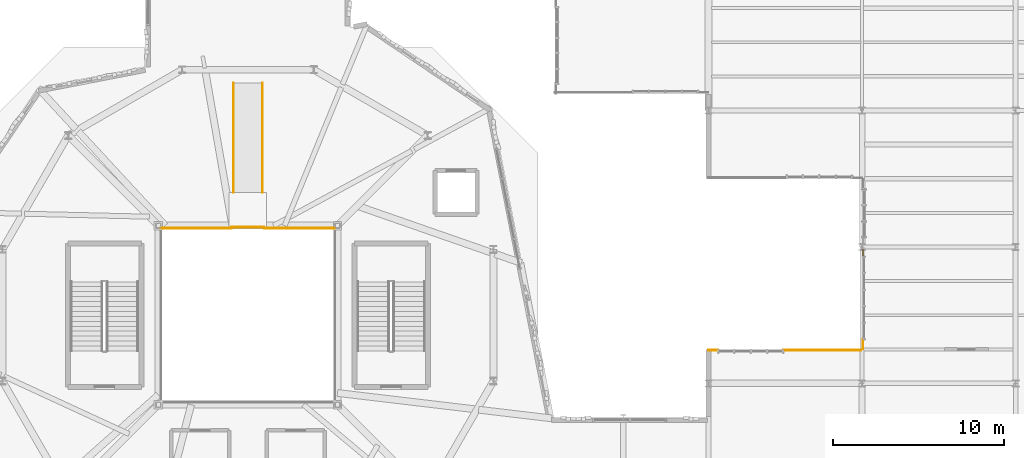
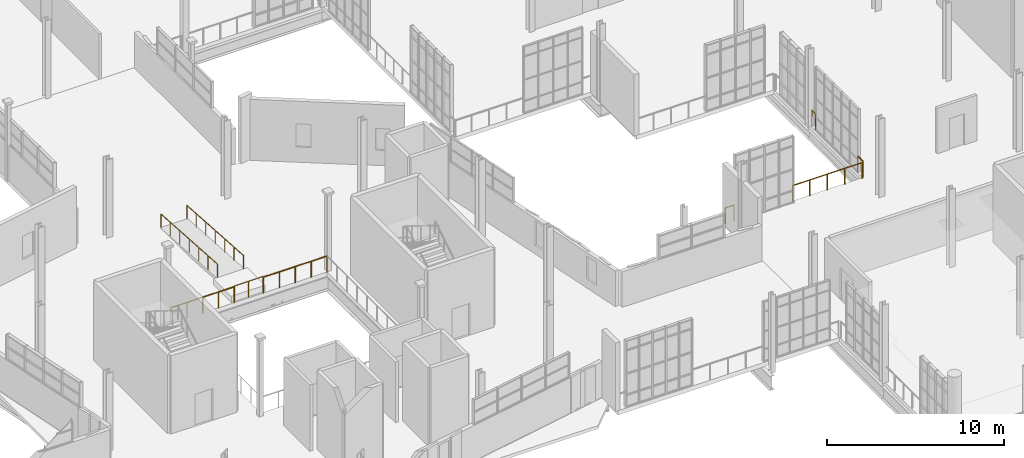
# One storey, part 136 of 142: 9 railings.
"""IFC4 building model written with IfcOpenShell, lengths in metres."""

import ifcopenshell
import ifcopenshell.guid

model = None  # the IFC model being written
_history = None  # IfcOwnerHistory: only IFC2X3 demands one
_inside = {}  # id of a spatial element -> (the spatial element, [elements in it])
_under = {}  # id of a project, library or spatial element -> (it, [spatial elements below it])
_declared = {}  # id of a project -> (the project, [libraries it declares])
_typed = {}  # id of a type object -> (the type object, [elements of that type])
_made_of = {}  # id of a material, layer set ... -> (it, [elements and type objects made of it])


def new_model(schema):
    """Start an empty IFC model of exactly this schema.

    Asked for "IFC4X3", IfcOpenShell would pick the latest addendum, in which some entities
    have other attributes; the version numbers below select the first issue.
    IFC2X3 requires an IfcOwnerHistory on every rooted entity: one is made here for all.
    """
    global model, _history
    if schema == "IFC4X3":
        model = ifcopenshell.file(schema_version=(4, 3, 0, 0))
    else:
        model = ifcopenshell.file(schema=schema)
    _inside.clear()
    _under.clear()
    _declared.clear()
    _typed.clear()
    _made_of.clear()
    _history = None
    if model.schema == "IFC2X3":
        org = make("IfcOrganization", Name="unknown")
        user = make(
            "IfcPersonAndOrganization",
            ThePerson=make("IfcPerson", FamilyName="unknown"),
            TheOrganization=org,
        )
        app = make(
            "IfcApplication",
            ApplicationDeveloper=org,
            Version="unknown",
            ApplicationFullName="unknown",
            ApplicationIdentifier="unknown",
        )
        _history = make(
            "IfcOwnerHistory",
            OwningUser=user,
            OwningApplication=app,
            ChangeAction="ADDED",
            CreationDate=0,
        )
    return model


def make(cls, **values):
    """One entity of the class cls with the attributes given. An attribute that is None is left unset."""
    return model.create_entity(
        cls, **{name: value for name, value in values.items() if value is not None}
    )


def rooted(cls, **values):
    """An entity with a GlobalId (a new one), such as an element, a storey or a relation."""
    return make(cls, GlobalId=ifcopenshell.guid.new(), OwnerHistory=_history, **values)


def si_unit(unit_type, name, prefix=None):
    """IfcSIUnit, for example si_unit("LENGTHUNIT", "METRE", prefix="MILLI")."""
    return make("IfcSIUnit", UnitType=unit_type, Prefix=prefix, Name=name)


def assignment(units):
    """IfcUnitAssignment: the units of a project."""
    return None if units is None else make("IfcUnitAssignment", Units=units)


def point(xyz):
    """IfcCartesianPoint."""
    return None if xyz is None else make("IfcCartesianPoint", Coordinates=xyz)


def direction(xyz):
    """IfcDirection."""
    return None if xyz is None else make("IfcDirection", DirectionRatios=xyz)


def frame(location, z_axis=None, x_axis=None):
    """IfcAxis2Placement3D, a coordinate frame: its origin and axes. An axis left out is left unset."""
    return make(
        "IfcAxis2Placement3D",
        Location=point(location),
        Axis=direction(z_axis),
        RefDirection=direction(x_axis),
    )


def frame_2d(location, x_axis=None):
    """IfcAxis2Placement2D, a coordinate frame in the plane: its origin and x axis."""
    return make(
        "IfcAxis2Placement2D", Location=point(location), RefDirection=direction(x_axis)
    )


def origin():
    """The frame at (0, 0, 0) with its axes left unset."""
    return frame((0.0, 0.0, 0.0))


def origin_2d():
    """The frame at (0, 0) in the plane with its x axis left unset."""
    return frame_2d((0.0, 0.0))


def place(relative_to, where):
    """IfcLocalPlacement: puts the frame where relative to a parent placement (None: the world)."""
    return make(
        "IfcLocalPlacement", PlacementRelTo=relative_to, RelativePlacement=where
    )


def context(
    kind, dimensions, precision=None, world=None, true_north=None, identifier=None
):
    """IfcGeometricRepresentationContext, for example the 3D "Model" context."""
    return make(
        "IfcGeometricRepresentationContext",
        ContextIdentifier=identifier,
        ContextType=kind,
        CoordinateSpaceDimension=dimensions,
        Precision=precision,
        WorldCoordinateSystem=world,
        TrueNorth=true_north,
    )


def subcontext(parent, identifier, kind, view, scale=None):
    """IfcGeometricRepresentationSubContext, for example "Body" below "Model"."""
    return make(
        "IfcGeometricRepresentationSubContext",
        ContextIdentifier=identifier,
        ContextType=kind,
        ParentContext=parent,
        TargetScale=scale,
        TargetView=view,
    )


def project(units=None, contexts=None):
    """IfcProject with its units and contexts."""
    return rooted(
        "IfcProject",
        Name="project",
        RepresentationContexts=contexts,
        UnitsInContext=assignment(units),
    )


def spatial(cls, under=None, at=None, **own):
    """A site, building, storey or space (cls), placed at a placement, below another one or the project."""
    s = rooted(cls, ObjectPlacement=at, **own)
    if under is not None:
        _under.setdefault(under.id(), (under, []))[1].append(s)
    return s


def profile(cls, at=None, kind="AREA", **sizes):
    """A parametric profile (cls). Its sizes go by their IFC names, for example OverallWidth=200.0."""
    return make(cls, ProfileType=kind, Position=at, **sizes)


def circle(**sizes):
    """IfcCircleProfileDef."""
    return profile("IfcCircleProfileDef", **sizes)


def extrude(swept, where, along, depth):
    """IfcExtrudedAreaSolid: the profile swept, set in the frame where, extruded along a direction by depth."""
    return make(
        "IfcExtrudedAreaSolid",
        SweptArea=swept,
        Position=where,
        ExtrudedDirection=direction(along),
        Depth=depth,
    )


def shape(context_of_items, identifier, shape_type, items):
    """IfcShapeRepresentation: the items that make up one representation, for example the "Body"."""
    return make(
        "IfcShapeRepresentation",
        ContextOfItems=context_of_items,
        RepresentationIdentifier=identifier,
        RepresentationType=shape_type,
        Items=items,
    )


def material(Name=None, Category=None):
    """IfcMaterial."""
    return make("IfcMaterial", Name=Name, Category=Category)


def made_of(thing, what):
    """Note that an element or type object is made of a material, layer set ...; save() writes the relation."""
    if what is not None:
        _made_of.setdefault(what.id(), (what, []))[1].append(thing)
    return thing


def type_object(cls, material=None, **own):
    """A type object (cls), such as IfcWallType, which elements share."""
    return made_of(rooted(cls, **own), material)


def element(
    cls,
    number,
    at=None,
    inside=None,
    cuts=None,
    type_object=None,
    material=None,
    context=None,
    identifier="Body",
    shape_type=None,
    held_by="IfcProductDefinitionShape",
    body=None,
    shapes=None,
    **own,
):
    """One element of the class cls, such as IfcWall. Its Tag is "e" and its number.

    at: its placement. inside: the storey or other place that contains it. cuts: it is an
    opening in that element (IfcRelVoidsElement). A single representation is given by context,
    identifier, shape_type and body (its items); several are given by shapes. held_by: the class
    of the entity that holds the representations. save() writes the other relations.
    """
    e = rooted(cls, Tag="e%d" % number, ObjectPlacement=at, **own)
    if body is not None:
        shapes = [shape(context, identifier, shape_type, body)]
    if shapes is not None:
        e.Representation = make(held_by, Representations=shapes)
    if inside is not None:
        _inside.setdefault(inside.id(), (inside, []))[1].append(e)
    if cuts is not None:
        rooted(
            "IfcRelVoidsElement", RelatingBuildingElement=cuts, RelatedOpeningElement=e
        )
    if type_object is not None:
        _typed.setdefault(type_object.id(), (type_object, []))[1].append(e)
    return made_of(e, material)


def aggregate(whole, parts):
    """IfcRelAggregates: a whole, such as a stair, and the parts it consists of."""
    return rooted("IfcRelAggregates", RelatingObject=whole, RelatedObjects=parts)


def save(model, path):
    """Write the relations noted so far, then the file.

    IfcRelAggregates (storeys below a building ...), IfcRelContainedInSpatialStructure (elements
    in a storey), IfcRelDefinesByType, IfcRelAssociatesMaterial and IfcRelDeclares: one each for
    every whole, place, type object, material and project.
    """
    for whole, parts in _under.values():
        aggregate(whole, parts)
    for where, things in _inside.values():
        rooted(
            "IfcRelContainedInSpatialStructure",
            RelatedElements=things,
            RelatingStructure=where,
        )
    for kind, things in _typed.values():
        rooted("IfcRelDefinesByType", RelatedObjects=things, RelatingType=kind)
    for what, things in _made_of.values():
        rooted("IfcRelAssociatesMaterial", RelatedObjects=things, RelatingMaterial=what)
    for by, libraries in _declared.values():
        rooted("IfcRelDeclares", RelatingContext=by, RelatedDefinitions=libraries)
    model.write(path)


model = new_model("IFC4")

# Units and contexts
model_context = context("Model", 3, precision=1e-05, world=origin(), true_north=direction((0.0, 1.0)))
body_context = subcontext(model_context, "Body", "Model", "MODEL_VIEW")
ifc_project = project(units=[si_unit("LENGTHUNIT", "METRE"), si_unit("AREAUNIT", "SQUARE_METRE"), si_unit("VOLUMEUNIT", "CUBIC_METRE"), si_unit("PLANEANGLEUNIT", "RADIAN"), si_unit("MASSUNIT", "GRAM", prefix="KILO"), si_unit("THERMODYNAMICTEMPERATUREUNIT", "KELVIN"), si_unit("POWERUNIT", "WATT")], contexts=[model_context])

# Site, building, storey
site_placement = place(None, origin())
site = spatial("IfcSite", under=ifc_project, at=site_placement, CompositionType="ELEMENT")
building_placement = place(site_placement, origin())
building = spatial("IfcBuilding", under=site, at=building_placement, Name="Zelmaris Science Centre", CompositionType="ELEMENT")
storey_placement = place(building_placement, frame((0.0, 0.0, 5.39990234375)))
storey = spatial("IfcBuildingStorey", under=building, at=storey_placement, Name="L01", CompositionType="ELEMENT", Elevation=5.39990234375)

# Railings
ifc_material = material(Name="Architectural bronze alloy C28000")
railing_type_1 = type_object("IfcRailingType", Name="Balustrade GD-01 H1120", PredefinedType="BALUSTRADE", material=ifc_material)
for number, where, name in (
    (1, (86.10009765625, 41.10009765625, 0.0), "L01 Atrium void balustrade 3"),
    (2, (80.050048828125, 41.10009765625, 0.0), "L01 Atrium void balustrade 4"),
):
    element("IfcRailing", number, at=place(storey_placement, frame(where)), inside=storey, type_object=railing_type_1, Name=name, PredefinedType="BALUSTRADE", context=body_context, shape_type="SweptSolid", body=[
        extrude(circle(Radius=0.02392578125, at=origin_2d()), frame((0.0, 0.0, 1.09619140625), z_axis=(-1.0, 0.0, 0.0), x_axis=(0.0, -1.0, 0.0)), (0.0, 0.0, 1.0), 4.150146484375),
        extrude(circle(Radius=0.02099609375, at=origin_2d()), origin(), (0.0, 0.0, 1.0), 1.072021484375),
        extrude(circle(Radius=0.02099609375, at=origin_2d()), frame((-1.03759765625, 0.0, 0.0)), (0.0, 0.0, 1.0), 1.072021484375),
        extrude(circle(Radius=0.02099609375, at=origin_2d()), frame((-2.0751953125, 0.0, 0.0)), (0.0, 0.0, 1.0), 1.072021484375),
        extrude(circle(Radius=0.02099609375, at=origin_2d()), frame((-3.112548828125, 0.0, 0.0)), (0.0, 0.0, 1.0), 1.072021484375),
        extrude(circle(Radius=0.02099609375, at=origin_2d()), frame((-4.150146484375, 0.0, 0.0)), (0.0, 0.0, 1.0), 1.072021484375),
    ])
railing_1_placement = place(storey_placement, frame((108.0, 33.93994140625, 0.0)))
element("IfcRailing", 3, at=railing_1_placement, inside=storey, type_object=railing_type_1, Name="L01 Perimeter safety balustrade 97", PredefinedType="BALUSTRADE", context=body_context, shape_type="SweptSolid", body=[
    extrude(circle(Radius=0.02392578125, at=origin_2d()), frame((0.0, 0.0, 1.09619140625), z_axis=(1.0, 0.0, 0.0), x_axis=(0.0, 1.0, 0.0)), (0.0, 0.0, 1.0), 0.570068359375),
    extrude(circle(Radius=0.02099609375, at=origin_2d()), origin(), (0.0, 0.0, 1.0), 1.072021484375),
    extrude(circle(Radius=0.02099609375, at=origin_2d()), frame((0.570068359375, 0.0, 0.0)), (0.0, 0.0, 1.0), 1.072021484375),
])
railing_2_placement = place(storey_placement, frame((112.3798828125, 33.93994140625, 0.0)))
element("IfcRailing", 4, at=railing_2_placement, inside=storey, type_object=railing_type_1, Name="L01 Perimeter safety balustrade 98", PredefinedType="BALUSTRADE", context=body_context, shape_type="SweptSolid", body=[
    extrude(circle(Radius=0.02392578125, at=origin_2d()), frame((0.0, 0.0, 1.09619140625), z_axis=(1.0, 0.0, 0.0), x_axis=(0.0, 1.0, 0.0)), (0.0, 0.0, 1.0), 4.56005859375),
    extrude(circle(Radius=0.02099609375, at=origin_2d()), origin(), (0.0, 0.0, 1.0), 1.072021484375),
    extrude(circle(Radius=0.02099609375, at=origin_2d()), frame((1.14013671875, 0.0, 0.0)), (0.0, 0.0, 1.0), 1.072021484375),
    extrude(circle(Radius=0.02099609375, at=origin_2d()), frame((2.280029296875, 0.0, 0.0)), (0.0, 0.0, 1.0), 1.072021484375),
    extrude(circle(Radius=0.02099609375, at=origin_2d()), frame((3.419921875, 0.0, 0.0)), (0.0, 0.0, 1.0), 1.072021484375),
    extrude(circle(Radius=0.02099609375, at=origin_2d()), frame((4.56005859375, 0.0, 0.0)), (0.0, 0.0, 1.0), 1.072021484375),
])
railing_3_placement = place(storey_placement, frame((117.0498046875, 34.026611328125, 0.0)))
element("IfcRailing", 5, at=railing_3_placement, inside=storey, type_object=railing_type_1, Name="L01 Perimeter safety balustrade 99", PredefinedType="BALUSTRADE", context=body_context, shape_type="SweptSolid", body=[
    extrude(circle(Radius=0.02392578125, at=origin_2d()), frame((0.0, 0.0, 1.09619140625), z_axis=(0.001284795513, 0.99999917465, 0.0), x_axis=(-0.99999917465, 0.001284795513, 0.0)), (0.0, 0.0, 1.0), 0.570068359375),
    extrude(circle(Radius=0.02099609375, at=origin_2d()), origin(), (0.0, 0.0, 1.0), 1.072021484375),
    extrude(circle(Radius=0.02099609375, at=origin_2d()), frame((0.000732421875, 0.570068359375, 0.0)), (0.0, 0.0, 1.0), 1.072021484375),
])
railing_4_placement = place(storey_placement, frame((117.055419921875, 39.429931640625, 0.0)))
element("IfcRailing", 6, at=railing_4_placement, inside=storey, type_object=railing_type_1, Name="L01 Perimeter safety balustrade 100", PredefinedType="BALUSTRADE", context=body_context, shape_type="SweptSolid", body=[
    extrude(circle(Radius=0.02392578125, at=origin_2d()), frame((0.0, 0.0, 1.09619140625), z_axis=(0.001173708112, 0.999999311204, 0.0), x_axis=(-0.999999311204, 0.001173708112, 0.0)), (0.0, 0.0, 1.0), 0.416015625),
    extrude(circle(Radius=0.02099609375, at=origin_2d()), origin(), (0.0, 0.0, 1.0), 1.072021484375),
    extrude(circle(Radius=0.02099609375, at=origin_2d()), frame((0.00048828125, 0.416015625, 0.0)), (0.0, 0.0, 1.0), 1.072021484375),
])
railing_5_placement = place(storey_placement, frame((81.949951171875, 41.159912109375, 0.0)))
element("IfcRailing", 7, at=railing_5_placement, inside=storey, type_object=railing_type_1, Name="L01 Perimeter safety balustrade 117", PredefinedType="BALUSTRADE", context=body_context, shape_type="SweptSolid", body=[
    extrude(circle(Radius=0.02392578125, at=origin_2d()), frame((0.0, 0.0, 1.09619140625), z_axis=(-1.0, 0.0, 0.0), x_axis=(0.0, -1.0, 0.0)), (0.0, 0.0, 1.0), 1.89990234375),
    extrude(circle(Radius=0.02099609375, at=origin_2d()), origin(), (0.0, 0.0, 1.0), 1.072021484375),
    extrude(circle(Radius=0.02099609375, at=origin_2d()), frame((-0.949951171875, 0.0, 0.0)), (0.0, 0.0, 1.0), 1.072021484375),
    extrude(circle(Radius=0.02099609375, at=origin_2d()), frame((-1.89990234375, 0.0, 0.0)), (0.0, 0.0, 1.0), 1.072021484375),
])
railing_type_2 = type_object("IfcRailingType", Name="Handrail HR-02 H950", PredefinedType="HANDRAIL", material=ifc_material)
for number, where, name in (
    (8, (80.14990234375, 49.60009765625, 0.0), "L01 Atrium overlook ramp handrail 1"),
    (9, (81.85009765625, 49.60009765625, 0.0), "L01 Atrium overlook ramp handrail 2"),
):
    element("IfcRailing", number, at=place(storey_placement, frame(where)), inside=storey, type_object=railing_type_2, Name=name, PredefinedType="HANDRAIL", context=body_context, shape_type="SweptSolid", body=[
        extrude(circle(Radius=0.02392578125, at=origin_2d()), frame((0.0, 0.0, 0.92578125), z_axis=(0.0, -0.997852016313, 0.065508423425), x_axis=(1.0, 0.0, 0.0)), (0.0, 0.0, 1.0), 6.413818359375),
        extrude(circle(Radius=0.02099609375, at=origin_2d()), origin(), (0.0, 0.0, 1.0), 0.90185546875),
        extrude(circle(Radius=0.02099609375, at=origin_2d()), frame((0.0, -1.066650390625, 0.070068359375)), (0.0, 0.0, 1.0), 0.90185546875),
        extrude(circle(Radius=0.02099609375, at=origin_2d()), frame((0.0, -2.13330078125, 0.14013671875)), (0.0, 0.0, 1.0), 0.90185546875),
        extrude(circle(Radius=0.02099609375, at=origin_2d()), frame((0.0, -3.2001953125, 0.2099609375)), (0.0, 0.0, 1.0), 0.90185546875),
        extrude(circle(Radius=0.02099609375, at=origin_2d()), frame((0.0, -4.266845703125, 0.280029296875)), (0.0, 0.0, 1.0), 0.90185546875),
        extrude(circle(Radius=0.02099609375, at=origin_2d()), frame((0.0, -5.33349609375, 0.35009765625)), (0.0, 0.0, 1.0), 0.90185546875),
        extrude(circle(Radius=0.02099609375, at=origin_2d()), frame((0.0, -6.400146484375, 0.420166015625)), (0.0, 0.0, 1.0), 0.90185546875),
    ])

save(model, "model.ifc")
